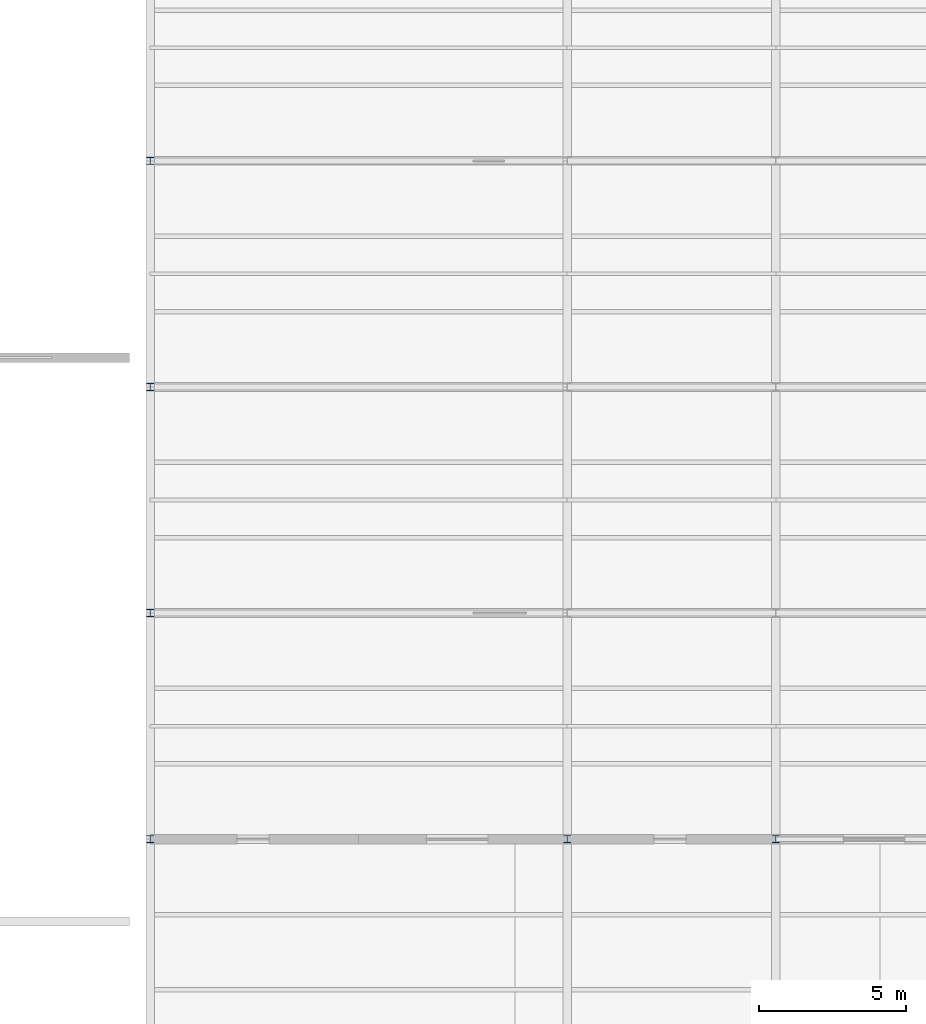
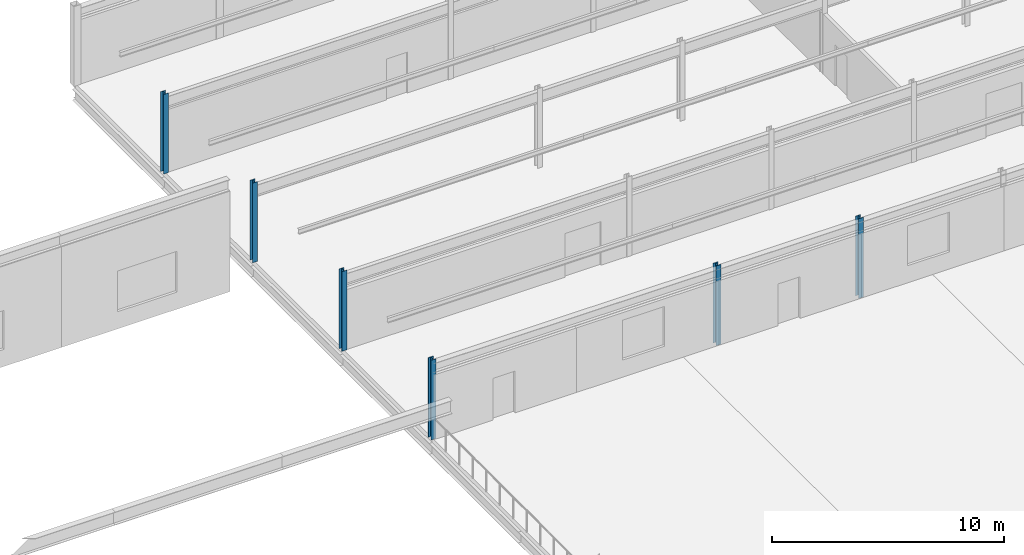
# One storey, part 10 of 39: 6 columns.
"""IFC4 building model written with IfcOpenShell, lengths in metres."""

from ifc_helpers import new_model, si_unit, direction, frame, origin, origin_2d, place, context, subcontext, project, spatial, i_section, extrude, material, material_profile, profile_set, type_object, element, save


model = new_model("IFC4")

# Units and contexts
model_context = context("Model", 3, precision=1e-05, world=origin(), true_north=direction((0.0, 1.0)))
body_context = subcontext(model_context, "Body", "Model", "MODEL_VIEW")
ifc_project = project(units=[si_unit("LENGTHUNIT", "METRE"), si_unit("AREAUNIT", "SQUARE_METRE"), si_unit("VOLUMEUNIT", "CUBIC_METRE"), si_unit("PLANEANGLEUNIT", "RADIAN"), si_unit("MASSUNIT", "GRAM", prefix="KILO")], contexts=[model_context])

# Site, building, storey
site_placement = place(None, origin())
site = spatial("IfcSite", under=ifc_project, at=site_placement, CompositionType="ELEMENT")
building_placement = place(site_placement, origin())
building = spatial("IfcBuilding", under=site, at=building_placement, Name="Kazenagashi Tramway Depot", CompositionType="ELEMENT")
storey_placement = place(building_placement, frame((0.0, 0.0, 11.1)))
storey = spatial("IfcBuildingStorey", under=building, at=storey_placement, Name="L03", CompositionType="ELEMENT", Elevation=11.1)

# Columns
ifc_material = material(Name="Steel SN490B", Category="steel")
ifc_material_profile = material_profile(ifc_material, i_section(OverallWidth=0.25, OverallDepth=0.25, WebThickness=0.009, FlangeThickness=0.014, at=origin_2d()), Name="H-250x250x9x14")
ifc_profile_set = profile_set([ifc_material_profile], Name="Steel SN490B")
column_type = type_object("IfcColumnType", Name="C-06", PredefinedType="COLUMN", material=ifc_profile_set)
for number, where, z_axis, x_axis, name in (
    (1, (146.3, 38.5, 0.0), (0.0, 0.0, 1.0), (1.0, 0.0, 0.0), "Column C-06 COL-0376"),
    (2, (146.3, 46.2, 0.0), (0.0, 0.0, 1.0), (1.0, 0.0, 0.0), "Column C-06 COL-0379"),
    (3, (146.3, 53.9, 0.0), (0.0, 0.0, 1.0), (1.0, 0.0, 0.0), "Column C-06 COL-0382"),
    (4, (146.3, 61.6, 0.0), (0.0, 0.0, 1.0), (1.0, 0.0, 0.0), "Column C-06 COL-0385"),
    (5, (160.5, 38.5, 0.0), (0.0, 0.0, 1.0), (1.0, 0.0, 0.0), "Column C-06 COL-0406"),
    (6, (167.6, 38.5, 0.0), (0.0, 0.0, 1.0), (1.0, 0.0, 0.0), "Column C-06 COL-0431"),
):
    element("IfcColumn", number, at=place(storey_placement, frame(where, z_axis=z_axis, x_axis=x_axis)), inside=storey, type_object=column_type, Name=name, PredefinedType="COLUMN", context=body_context, shape_type="SweptSolid", body=[
        extrude(i_section(OverallWidth=0.25, OverallDepth=0.25, WebThickness=0.009, FlangeThickness=0.014, at=origin_2d()), origin(), (0.0, 0.0, 1.0), 4.2),
    ])

save(model, "model.ifc")
